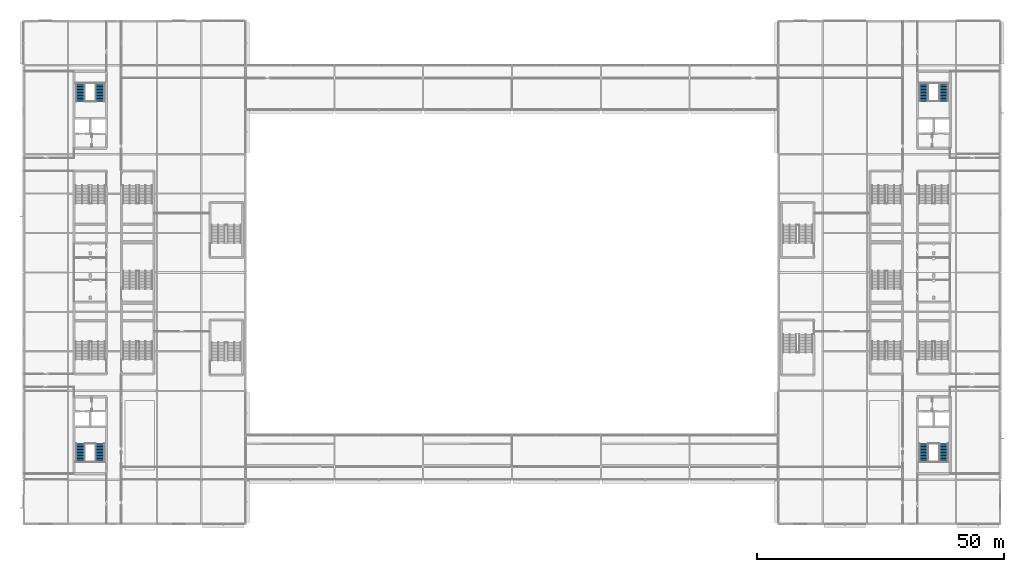
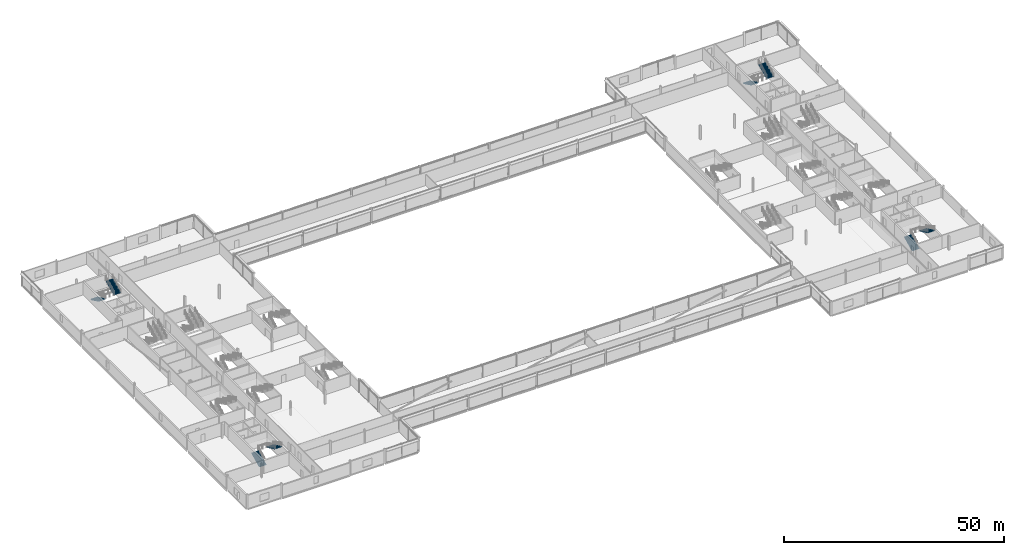
# One storey, part 68 of 98: 8 stair flights, 4 elements without a shape of their own.
"""IFC4 building model written with IfcOpenShell, lengths in metres."""

from ifc_helpers import new_model, si_unit, direction, frame, origin, place, context, subcontext, project, spatial, polyline, outline, extrude, material, type_object, element, aggregate, save


model = new_model("IFC4")

# Units and contexts
model_context = context("Model", 3, precision=1e-05, world=origin(), true_north=direction((0.0, 1.0)))
body_context = subcontext(model_context, "Body", "Model", "MODEL_VIEW")
ifc_project = project(units=[si_unit("LENGTHUNIT", "METRE"), si_unit("AREAUNIT", "SQUARE_METRE"), si_unit("VOLUMEUNIT", "CUBIC_METRE"), si_unit("PLANEANGLEUNIT", "RADIAN"), si_unit("MASSUNIT", "GRAM", prefix="KILO")], contexts=[model_context])

# Site, building, storey
site_placement = place(None, origin())
site = spatial("IfcSite", under=ifc_project, at=site_placement, CompositionType="ELEMENT")
building_placement = place(site_placement, origin())
building = spatial("IfcBuilding", under=site, at=building_placement, Name="Kisiwana Market Hall", CompositionType="ELEMENT")
storey_placement = place(building_placement, frame((0.0, 0.0, 29.39990234375)))
storey = spatial("IfcBuildingStorey", under=building, at=storey_placement, Name="L06", CompositionType="ELEMENT", Elevation=29.39990234375)

# Stair, stair flights
ifc_material_1 = material(Name="Concrete C32/40", Category="concrete")
stair_type = type_object("IfcStairType", Name="ST-TWR-3900", PredefinedType="TWO_STRAIGHT_RUN_STAIR", material=ifc_material_1)
stair_1_placement = place(storey_placement, origin())
stair_1 = element("IfcStair", 1, at=stair_1_placement, inside=storey, type_object=stair_type, Name="Escape stair ST-W2-L06", PredefinedType="TWO_STRAIGHT_RUN_STAIR")
ifc_material_2 = material(Name="Concrete C32/40", Category="concrete")
stair_flight_type = type_object("IfcStairFlightType", Name="SF-TWR-3900", PredefinedType="STRAIGHT", material=ifc_material_2)
stair_flight_1_placement = place(storey_placement, frame((11.5, 21.674560546875, 0.0), z_axis=(0.0, 0.0, 1.0), x_axis=(0.0, 1.0, 0.0)))
stair_flight_1 = element("IfcStairFlight", 2, at=stair_flight_1_placement, type_object=stair_flight_type, Name="ST-W2-L06 flight 1", NumberOfRisers=13, NumberOfTreads=12, PredefinedType="STRAIGHT", RiserHeight=0.15, TreadLength=0.305, context=body_context, shape_type="SweptSolid", body=[
    extrude(outline(polyline([(0.0, 0.0), (0.0, 0.14990234375), (0.304931640625, 0.14990234375), (0.304931640625, 0.300048828125), (0.610107421875, 0.300048828125), (0.610107421875, 0.449951171875), (0.9150390625, 0.449951171875), (0.9150390625, 0.60009765625), (1.219970703125, 0.60009765625), (1.219970703125, 0.75), (1.52490234375, 0.75), (1.52490234375, 0.89990234375), (1.830078125, 0.89990234375), (1.830078125, 1.050048828125), (2.135009765625, 1.050048828125), (2.135009765625, 1.199951171875), (2.43994140625, 1.199951171875), (2.43994140625, 1.35009765625), (2.7451171875, 1.35009765625), (2.7451171875, 1.5), (3.050048828125, 1.5), (3.050048828125, 1.64990234375), (3.35498046875, 1.64990234375), (3.35498046875, 1.800048828125), (3.659912109375, 1.800048828125), (3.659912109375, 1.949951171875), (3.659912109375, 1.599365234375), (0.40771484375, 0.0), (0.0, 0.0)])), frame((0.0, 0.925048828125, 0.0), z_axis=(0.0, -1.0, 0.0), x_axis=(1.0, 0.0, 0.0)), (0.0, 0.0, 1.0), 1.85009765625),
])
stair_flight_2_placement = place(storey_placement, frame((15.5, 25.33447265625, 1.9501953125), z_axis=(0.0, 0.0, 1.0), x_axis=(0.0, -1.0, 0.0)))
stair_flight_2 = element("IfcStairFlight", 3, at=stair_flight_2_placement, type_object=stair_flight_type, Name="ST-W2-L06 flight 2", NumberOfRisers=13, NumberOfTreads=12, PredefinedType="STRAIGHT", RiserHeight=0.15, TreadLength=0.305, context=body_context, shape_type="SweptSolid", body=[
    extrude(outline(polyline([(0.0, 0.0), (0.0, 0.14990234375), (0.304931640625, 0.14990234375), (0.304931640625, 0.300048828125), (0.610107421875, 0.300048828125), (0.610107421875, 0.449951171875), (0.9150390625, 0.449951171875), (0.9150390625, 0.60009765625), (1.219970703125, 0.60009765625), (1.219970703125, 0.75), (1.52490234375, 0.75), (1.52490234375, 0.89990234375), (1.830078125, 0.89990234375), (1.830078125, 1.050048828125), (2.135009765625, 1.050048828125), (2.135009765625, 1.199951171875), (2.43994140625, 1.199951171875), (2.43994140625, 1.35009765625), (2.7451171875, 1.35009765625), (2.7451171875, 1.5), (3.050048828125, 1.5), (3.050048828125, 1.64990234375), (3.35498046875, 1.64990234375), (3.35498046875, 1.800048828125), (3.659912109375, 1.800048828125), (3.659912109375, 1.949951171875), (3.659912109375, 1.599365234375), (0.40771484375, 0.0), (0.0, 0.0)])), frame((0.0, 0.925048828125, 0.0), z_axis=(0.0, -1.0, 0.0), x_axis=(1.0, 0.0, 0.0)), (0.0, 0.0, 1.0), 1.85009765625),
])
aggregate(stair_1, [stair_flight_1, stair_flight_2])

stair_2_placement = place(storey_placement, origin())
stair_2 = element("IfcStair", 4, at=stair_2_placement, inside=storey, type_object=stair_type, Name="Escape stair ST-W1-L06", PredefinedType="TWO_STRAIGHT_RUN_STAIR")
stair_flight_3_placement = place(storey_placement, frame((11.5, 98.325439453125, 0.0), z_axis=(0.0, 0.0, 1.0), x_axis=(0.0, -1.0, 0.0)))
stair_flight_3 = element("IfcStairFlight", 5, at=stair_flight_3_placement, type_object=stair_flight_type, Name="ST-W1-L06 flight 1", NumberOfRisers=13, NumberOfTreads=12, PredefinedType="STRAIGHT", RiserHeight=0.15, TreadLength=0.305, context=body_context, shape_type="SweptSolid", body=[
    extrude(outline(polyline([(0.0, 0.0), (0.0, 0.14990234375), (0.304931640625, 0.14990234375), (0.304931640625, 0.300048828125), (0.610107421875, 0.300048828125), (0.610107421875, 0.449951171875), (0.9150390625, 0.449951171875), (0.9150390625, 0.60009765625), (1.219970703125, 0.60009765625), (1.219970703125, 0.75), (1.52490234375, 0.75), (1.52490234375, 0.89990234375), (1.830078125, 0.89990234375), (1.830078125, 1.050048828125), (2.135009765625, 1.050048828125), (2.135009765625, 1.199951171875), (2.43994140625, 1.199951171875), (2.43994140625, 1.35009765625), (2.7451171875, 1.35009765625), (2.7451171875, 1.5), (3.050048828125, 1.5), (3.050048828125, 1.64990234375), (3.35498046875, 1.64990234375), (3.35498046875, 1.800048828125), (3.659912109375, 1.800048828125), (3.659912109375, 1.949951171875), (3.659912109375, 1.599365234375), (0.40771484375, 0.0), (0.0, 0.0)])), frame((0.0, 0.925048828125, 0.0), z_axis=(0.0, -1.0, 0.0), x_axis=(1.0, 0.0, 0.0)), (0.0, 0.0, 1.0), 1.85009765625),
])
stair_flight_4_placement = place(storey_placement, frame((15.5, 94.66552734375, 1.9501953125), z_axis=(0.0, 0.0, 1.0), x_axis=(0.0, 1.0, 0.0)))
stair_flight_4 = element("IfcStairFlight", 6, at=stair_flight_4_placement, type_object=stair_flight_type, Name="ST-W1-L06 flight 2", NumberOfRisers=13, NumberOfTreads=12, PredefinedType="STRAIGHT", RiserHeight=0.15, TreadLength=0.305, context=body_context, shape_type="SweptSolid", body=[
    extrude(outline(polyline([(0.0, 0.0), (0.0, 0.14990234375), (0.304931640625, 0.14990234375), (0.304931640625, 0.300048828125), (0.610107421875, 0.300048828125), (0.610107421875, 0.449951171875), (0.9150390625, 0.449951171875), (0.9150390625, 0.60009765625), (1.219970703125, 0.60009765625), (1.219970703125, 0.75), (1.52490234375, 0.75), (1.52490234375, 0.89990234375), (1.830078125, 0.89990234375), (1.830078125, 1.050048828125), (2.135009765625, 1.050048828125), (2.135009765625, 1.199951171875), (2.43994140625, 1.199951171875), (2.43994140625, 1.35009765625), (2.7451171875, 1.35009765625), (2.7451171875, 1.5), (3.050048828125, 1.5), (3.050048828125, 1.64990234375), (3.35498046875, 1.64990234375), (3.35498046875, 1.800048828125), (3.659912109375, 1.800048828125), (3.659912109375, 1.949951171875), (3.659912109375, 1.599365234375), (0.40771484375, 0.0), (0.0, 0.0)])), frame((0.0, 0.925048828125, 0.0), z_axis=(0.0, -1.0, 0.0), x_axis=(1.0, 0.0, 0.0)), (0.0, 0.0, 1.0), 1.85009765625),
])
aggregate(stair_2, [stair_flight_3, stair_flight_4])

stair_3_placement = place(storey_placement, origin())
stair_3 = element("IfcStair", 7, at=stair_3_placement, inside=storey, type_object=stair_type, Name="Escape stair ST-E2-L06", PredefinedType="TWO_STRAIGHT_RUN_STAIR")
stair_flight_5_placement = place(storey_placement, frame((182.47509765625, 21.6494140625, 0.0), z_axis=(0.0, 0.0, 1.0), x_axis=(0.0, 1.0, 0.0)))
stair_flight_5 = element("IfcStairFlight", 8, at=stair_flight_5_placement, type_object=stair_flight_type, Name="ST-E2-L06 flight 1", NumberOfRisers=13, NumberOfTreads=12, PredefinedType="STRAIGHT", RiserHeight=0.15, TreadLength=0.305, context=body_context, shape_type="SweptSolid", body=[
    extrude(outline(polyline([(0.0, 0.0), (0.0, 0.14990234375), (0.304931640625, 0.14990234375), (0.304931640625, 0.300048828125), (0.610107421875, 0.300048828125), (0.610107421875, 0.449951171875), (0.9150390625, 0.449951171875), (0.9150390625, 0.60009765625), (1.219970703125, 0.60009765625), (1.219970703125, 0.75), (1.52490234375, 0.75), (1.52490234375, 0.89990234375), (1.830078125, 0.89990234375), (1.830078125, 1.050048828125), (2.135009765625, 1.050048828125), (2.135009765625, 1.199951171875), (2.43994140625, 1.199951171875), (2.43994140625, 1.35009765625), (2.7451171875, 1.35009765625), (2.7451171875, 1.5), (3.050048828125, 1.5), (3.050048828125, 1.64990234375), (3.35498046875, 1.64990234375), (3.35498046875, 1.800048828125), (3.659912109375, 1.800048828125), (3.659912109375, 1.949951171875), (3.659912109375, 1.599365234375), (0.40771484375, 0.0), (0.0, 0.0)])), frame((0.0, 0.925048828125, 0.0), z_axis=(0.0, -1.0, 0.0), x_axis=(1.0, 0.0, 0.0)), (0.0, 0.0, 1.0), 1.85009765625),
])
stair_flight_6_placement = place(storey_placement, frame((186.52490234375, 25.3095703125, 1.9501953125), z_axis=(0.0, 0.0, 1.0), x_axis=(0.0, -1.0, 0.0)))
stair_flight_6 = element("IfcStairFlight", 9, at=stair_flight_6_placement, type_object=stair_flight_type, Name="ST-E2-L06 flight 2", NumberOfRisers=13, NumberOfTreads=12, PredefinedType="STRAIGHT", RiserHeight=0.15, TreadLength=0.305, context=body_context, shape_type="SweptSolid", body=[
    extrude(outline(polyline([(0.0, 0.0), (0.0, 0.14990234375), (0.304931640625, 0.14990234375), (0.304931640625, 0.300048828125), (0.610107421875, 0.300048828125), (0.610107421875, 0.449951171875), (0.9150390625, 0.449951171875), (0.9150390625, 0.60009765625), (1.219970703125, 0.60009765625), (1.219970703125, 0.75), (1.52490234375, 0.75), (1.52490234375, 0.89990234375), (1.830078125, 0.89990234375), (1.830078125, 1.050048828125), (2.135009765625, 1.050048828125), (2.135009765625, 1.199951171875), (2.43994140625, 1.199951171875), (2.43994140625, 1.35009765625), (2.7451171875, 1.35009765625), (2.7451171875, 1.5), (3.050048828125, 1.5), (3.050048828125, 1.64990234375), (3.35498046875, 1.64990234375), (3.35498046875, 1.800048828125), (3.659912109375, 1.800048828125), (3.659912109375, 1.949951171875), (3.659912109375, 1.599365234375), (0.40771484375, 0.0), (0.0, 0.0)])), frame((0.0, 0.925048828125, 0.0), z_axis=(0.0, -1.0, 0.0), x_axis=(1.0, 0.0, 0.0)), (0.0, 0.0, 1.0), 1.85009765625),
])
aggregate(stair_3, [stair_flight_5, stair_flight_6])

stair_4_placement = place(storey_placement, origin())
stair_4 = element("IfcStair", 10, at=stair_4_placement, inside=storey, type_object=stair_type, Name="Escape stair ST-E1-L06", PredefinedType="TWO_STRAIGHT_RUN_STAIR")
stair_flight_7_placement = place(storey_placement, frame((182.47509765625, 98.3505859375, 0.0), z_axis=(0.0, 0.0, 1.0), x_axis=(0.0, -1.0, 0.0)))
stair_flight_7 = element("IfcStairFlight", 11, at=stair_flight_7_placement, type_object=stair_flight_type, Name="ST-E1-L06 flight 1", NumberOfRisers=13, NumberOfTreads=12, PredefinedType="STRAIGHT", RiserHeight=0.15, TreadLength=0.305, context=body_context, shape_type="SweptSolid", body=[
    extrude(outline(polyline([(0.0, 0.0), (0.0, 0.14990234375), (0.304931640625, 0.14990234375), (0.304931640625, 0.300048828125), (0.610107421875, 0.300048828125), (0.610107421875, 0.449951171875), (0.9150390625, 0.449951171875), (0.9150390625, 0.60009765625), (1.219970703125, 0.60009765625), (1.219970703125, 0.75), (1.52490234375, 0.75), (1.52490234375, 0.89990234375), (1.830078125, 0.89990234375), (1.830078125, 1.050048828125), (2.135009765625, 1.050048828125), (2.135009765625, 1.199951171875), (2.43994140625, 1.199951171875), (2.43994140625, 1.35009765625), (2.7451171875, 1.35009765625), (2.7451171875, 1.5), (3.050048828125, 1.5), (3.050048828125, 1.64990234375), (3.35498046875, 1.64990234375), (3.35498046875, 1.800048828125), (3.659912109375, 1.800048828125), (3.659912109375, 1.949951171875), (3.659912109375, 1.599365234375), (0.40771484375, 0.0), (0.0, 0.0)])), frame((0.0, 0.925048828125, 0.0), z_axis=(0.0, -1.0, 0.0), x_axis=(1.0, 0.0, 0.0)), (0.0, 0.0, 1.0), 1.85009765625),
])
stair_flight_8_placement = place(storey_placement, frame((186.52490234375, 94.6904296875, 1.9501953125), z_axis=(0.0, 0.0, 1.0), x_axis=(0.0, 1.0, 0.0)))
stair_flight_8 = element("IfcStairFlight", 12, at=stair_flight_8_placement, type_object=stair_flight_type, Name="ST-E1-L06 flight 2", NumberOfRisers=13, NumberOfTreads=12, PredefinedType="STRAIGHT", RiserHeight=0.15, TreadLength=0.305, context=body_context, shape_type="SweptSolid", body=[
    extrude(outline(polyline([(0.0, 0.0), (0.0, 0.14990234375), (0.304931640625, 0.14990234375), (0.304931640625, 0.300048828125), (0.610107421875, 0.300048828125), (0.610107421875, 0.449951171875), (0.9150390625, 0.449951171875), (0.9150390625, 0.60009765625), (1.219970703125, 0.60009765625), (1.219970703125, 0.75), (1.52490234375, 0.75), (1.52490234375, 0.89990234375), (1.830078125, 0.89990234375), (1.830078125, 1.050048828125), (2.135009765625, 1.050048828125), (2.135009765625, 1.199951171875), (2.43994140625, 1.199951171875), (2.43994140625, 1.35009765625), (2.7451171875, 1.35009765625), (2.7451171875, 1.5), (3.050048828125, 1.5), (3.050048828125, 1.64990234375), (3.35498046875, 1.64990234375), (3.35498046875, 1.800048828125), (3.659912109375, 1.800048828125), (3.659912109375, 1.949951171875), (3.659912109375, 1.599365234375), (0.40771484375, 0.0), (0.0, 0.0)])), frame((0.0, 0.925048828125, 0.0), z_axis=(0.0, -1.0, 0.0), x_axis=(1.0, 0.0, 0.0)), (0.0, 0.0, 1.0), 1.85009765625),
])
aggregate(stair_4, [stair_flight_7, stair_flight_8])

save(model, "model.ifc")
